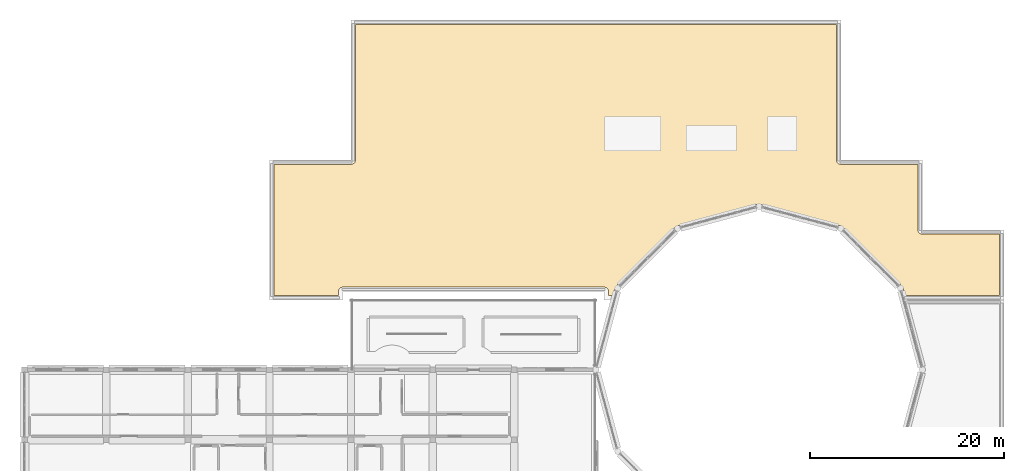
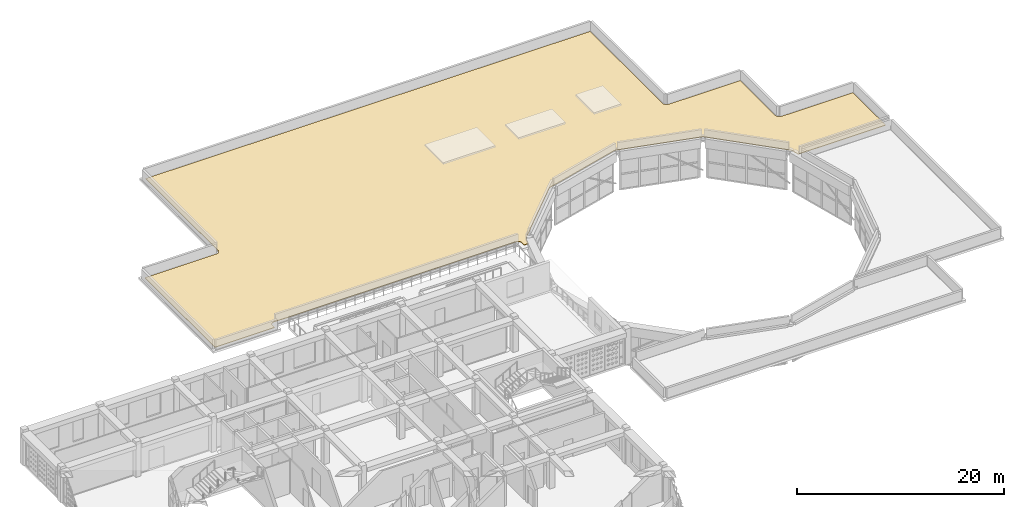
# One storey, part 48 of 48: 1 covering.
"""IFC4 building model written with IfcOpenShell, lengths in metres."""

from ifc_helpers import new_model, si_unit, derived_unit, direction, frame, origin, place, context, subcontext, project, spatial, polyline, outline, extrude, material, layer, layer_set, type_object, element, save


model = new_model("IFC4")

# Units and contexts
model_context = context("Model", 3, precision=1e-05, world=origin(), true_north=direction((0.0, 1.0)))
body_context = subcontext(model_context, "Body", "Model", "MODEL_VIEW")
ifc_project = project(units=[si_unit("LENGTHUNIT", "METRE"), si_unit("AREAUNIT", "SQUARE_METRE"), si_unit("VOLUMEUNIT", "CUBIC_METRE"), si_unit("PLANEANGLEUNIT", "RADIAN"), si_unit("MASSUNIT", "GRAM", prefix="KILO"), derived_unit("THERMALTRANSMITTANCEUNIT", [(si_unit("POWERUNIT", "WATT"), 1), (si_unit("LENGTHUNIT", "METRE"), -2), (si_unit("THERMODYNAMICTEMPERATUREUNIT", "KELVIN"), -1)])], contexts=[model_context])

# Site, building, storey
site_placement = place(None, origin())
site = spatial("IfcSite", under=ifc_project, at=site_placement, CompositionType="ELEMENT")
building_placement = place(site_placement, origin())
building = spatial("IfcBuilding", under=site, at=building_placement, Name="Veybourne Emporium", CompositionType="ELEMENT")
storey_placement = place(building_placement, frame((0.0, 0.0, 27.89990234375)))
storey = spatial("IfcBuildingStorey", under=building, at=storey_placement, Name="L06", CompositionType="ELEMENT", Elevation=27.89990234375)

# Covering
ifc_material = material(Name="Single-Ply Warm Roof Membrane", Category="membrane")
ifc_layer = layer(ifc_material, 0.06005859375)
ifc_layer_set = layer_set([ifc_layer], Name="Single-Ply Warm Roof Membrane")
covering_type = type_object("IfcCoveringType", Name="Roofing_RFG-01", PredefinedType="ROOFING", material=ifc_layer_set)
covering_placement = place(storey_placement, origin())
element("IfcCovering", 1, at=covering_placement, inside=storey, type_object=covering_type, Name="L06 warm-roof waterproofing membrane 1.1", PredefinedType="ROOFING", context=body_context, shape_type="SweptSolid", body=[
    extrude(outline(polyline([(34.050048828125, 85.949951171875), (83.550048828125, 85.949951171875), (83.550048828125, 72.0), (83.55224609375, 71.955810546875), (83.55859375, 71.912109375), (83.5693359375, 71.869384765625), (83.584228515625, 71.827880859375), (83.60302734375, 71.787841796875), (83.625732421875, 71.75), (83.652099609375, 71.714599609375), (83.681884765625, 71.681884765625), (83.714599609375, 71.652099609375), (83.75, 71.625732421875), (83.787841796875, 71.60302734375), (83.827880859375, 71.584228515625), (83.869384765625, 71.5693359375), (83.912109375, 71.55859375), (83.955810546875, 71.55224609375), (84.0, 71.550048828125), (91.949951171875, 71.550048828125), (91.949951171875, 64.800048828125), (91.9521484375, 64.755859375), (91.958740234375, 64.712158203125), (91.969482421875, 64.66943359375), (91.984130859375, 64.627685546875), (92.003173828125, 64.587890625), (92.02587890625, 64.550048828125), (92.05224609375, 64.514404296875), (92.081787109375, 64.481689453125), (92.114501953125, 64.4521484375), (92.14990234375, 64.42578125), (92.18798828125, 64.403076171875), (92.227783203125, 64.38427734375), (92.269287109375, 64.369384765625), (92.312255859375, 64.358642578125), (92.35595703125, 64.35205078125), (92.39990234375, 64.35009765625), (100.35009765625, 64.35009765625), (100.35009765625, 58.050048828125), (90.615966796875, 58.050048828125), (90.41064453125, 58.81640625), (90.396240234375, 58.861328125), (90.376953125, 58.904296875), (90.353515625, 58.945068359375), (90.32568359375, 58.983154296875), (90.294189453125, 59.018310546875), (84.21826171875, 65.09423828125), (84.18310546875, 65.125732421875), (84.14501953125, 65.1533203125), (84.104248046875, 65.177001953125), (84.061279296875, 65.196044921875), (84.016357421875, 65.210693359375), (75.716552734375, 67.4345703125), (75.67041015625, 67.444580078125), (75.62353515625, 67.449462890625), (75.576416015625, 67.449462890625), (75.529541015625, 67.444580078125), (75.483642578125, 67.4345703125), (67.18359375, 65.210693359375), (67.138671875, 65.196044921875), (67.095703125, 65.177001953125), (67.054931640625, 65.1533203125), (67.016845703125, 65.125732421875), (66.981689453125, 65.09423828125), (60.90576171875, 59.018310546875), (60.874267578125, 58.983154296875), (60.8466796875, 58.945068359375), (60.822998046875, 58.904296875), (60.803955078125, 58.861328125), (60.789306640625, 58.81640625), (60.583984375, 58.050048828125), (60.10009765625, 58.050048828125), (60.10009765625, 58.449951171875), (60.097900390625, 58.494140625), (60.09130859375, 58.537841796875), (60.08056640625, 58.58056640625), (60.065673828125, 58.622314453125), (60.046875, 58.662109375), (60.024169921875, 58.699951171875), (59.997802734375, 58.735595703125), (59.96826171875, 58.768310546875), (59.935546875, 58.7978515625), (59.89990234375, 58.82421875), (59.862060546875, 58.846923828125), (59.822265625, 58.86572265625), (59.780517578125, 58.880615234375), (59.73779296875, 58.891357421875), (59.694091796875, 58.89794921875), (59.64990234375, 58.89990234375), (32.75, 58.89990234375), (32.705810546875, 58.89794921875), (32.662109375, 58.891357421875), (32.619384765625, 58.880615234375), (32.577880859375, 58.86572265625), (32.537841796875, 58.846923828125), (32.5, 58.82421875), (32.464599609375, 58.7978515625), (32.431884765625, 58.768310546875), (32.402099609375, 58.735595703125), (32.375732421875, 58.699951171875), (32.35302734375, 58.662109375), (32.334228515625, 58.622314453125), (32.3193359375, 58.58056640625), (32.30859375, 58.537841796875), (32.30224609375, 58.494140625), (32.300048828125, 58.449951171875), (32.300048828125, 58.050048828125), (25.64990234375, 58.050048828125), (25.64990234375, 71.550048828125), (33.60009765625, 71.550048828125), (33.64404296875, 71.55224609375), (33.687744140625, 71.55859375), (33.730712890625, 71.5693359375), (33.772216796875, 71.584228515625), (33.81201171875, 71.60302734375), (33.85009765625, 71.625732421875), (33.885498046875, 71.652099609375), (33.918212890625, 71.681884765625), (33.94775390625, 71.714599609375), (33.97412109375, 71.75), (33.996826171875, 71.787841796875), (34.015869140625, 71.827880859375), (34.030517578125, 71.869384765625), (34.041259765625, 71.912109375), (34.0478515625, 71.955810546875), (34.050048828125, 72.0), (34.050048828125, 85.949951171875)])), origin(), (0.0, 0.0, 1.0), 0.06005859375),
])

save(model, "model.ifc")
